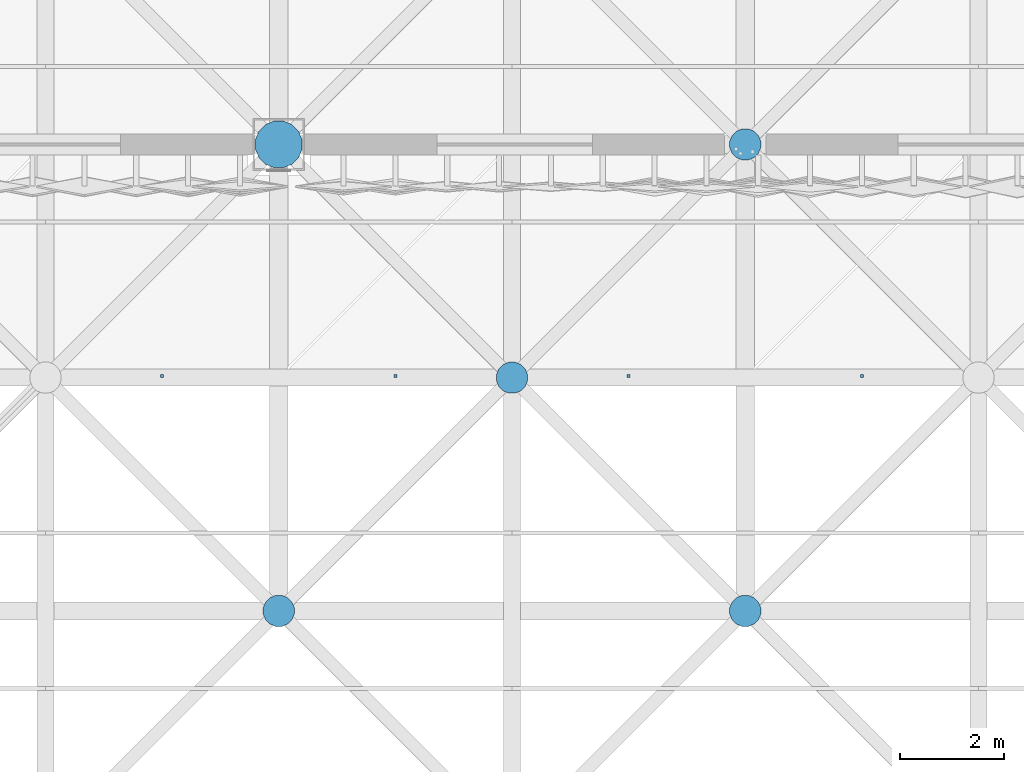
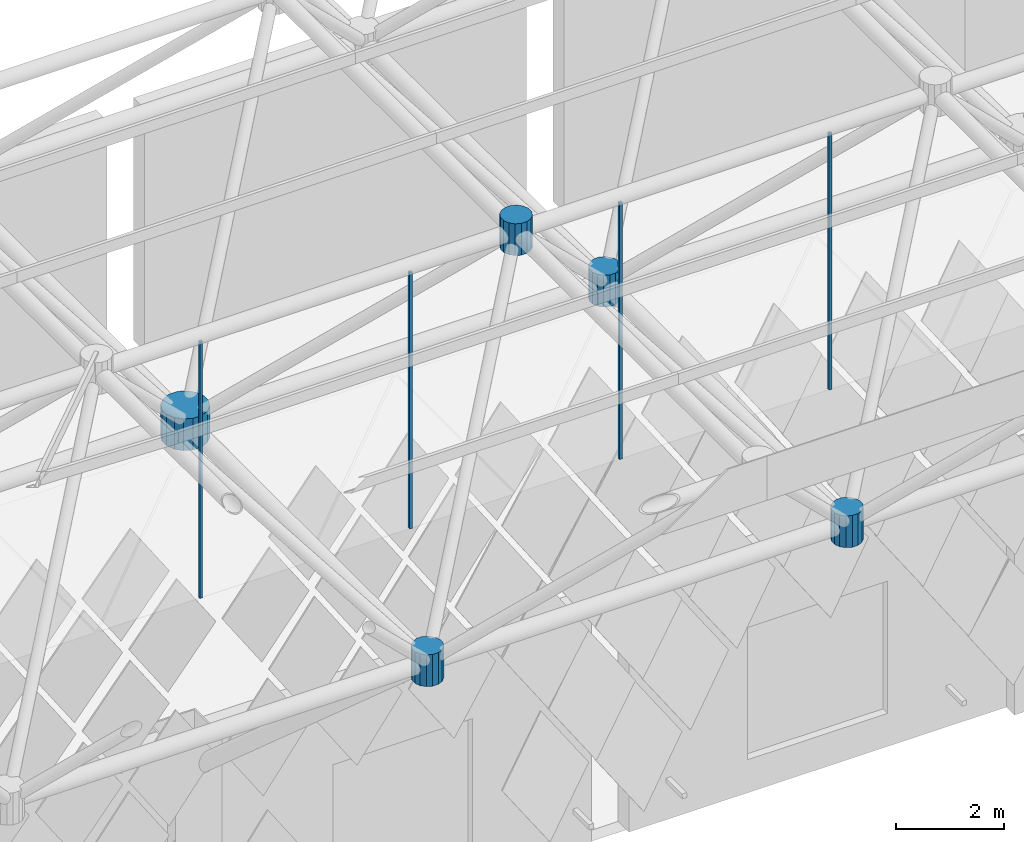
# One storey, part 298 of 437: 9 discrete accessories.
"""IFC4 building model written with IfcOpenShell, lengths in metres."""

import ifcopenshell
import ifcopenshell.guid

model = None  # the IFC model being written
_history = None  # IfcOwnerHistory: only IFC2X3 demands one
_inside = {}  # id of a spatial element -> (the spatial element, [elements in it])
_under = {}  # id of a project, library or spatial element -> (it, [spatial elements below it])
_declared = {}  # id of a project -> (the project, [libraries it declares])
_typed = {}  # id of a type object -> (the type object, [elements of that type])
_made_of = {}  # id of a material, layer set ... -> (it, [elements and type objects made of it])


def new_model(schema):
    """Start an empty IFC model of exactly this schema.

    Asked for "IFC4X3", IfcOpenShell would pick the latest addendum, in which some entities
    have other attributes; the version numbers below select the first issue.
    IFC2X3 requires an IfcOwnerHistory on every rooted entity: one is made here for all.
    """
    global model, _history
    if schema == "IFC4X3":
        model = ifcopenshell.file(schema_version=(4, 3, 0, 0))
    else:
        model = ifcopenshell.file(schema=schema)
    _inside.clear()
    _under.clear()
    _declared.clear()
    _typed.clear()
    _made_of.clear()
    _history = None
    if model.schema == "IFC2X3":
        org = make("IfcOrganization", Name="unknown")
        user = make(
            "IfcPersonAndOrganization",
            ThePerson=make("IfcPerson", FamilyName="unknown"),
            TheOrganization=org,
        )
        app = make(
            "IfcApplication",
            ApplicationDeveloper=org,
            Version="unknown",
            ApplicationFullName="unknown",
            ApplicationIdentifier="unknown",
        )
        _history = make(
            "IfcOwnerHistory",
            OwningUser=user,
            OwningApplication=app,
            ChangeAction="ADDED",
            CreationDate=0,
        )
    return model


def make(cls, **values):
    """One entity of the class cls with the attributes given. An attribute that is None is left unset."""
    return model.create_entity(
        cls, **{name: value for name, value in values.items() if value is not None}
    )


def rooted(cls, **values):
    """An entity with a GlobalId (a new one), such as an element, a storey or a relation."""
    return make(cls, GlobalId=ifcopenshell.guid.new(), OwnerHistory=_history, **values)


def si_unit(unit_type, name, prefix=None):
    """IfcSIUnit, for example si_unit("LENGTHUNIT", "METRE", prefix="MILLI")."""
    return make("IfcSIUnit", UnitType=unit_type, Prefix=prefix, Name=name)


def assignment(units):
    """IfcUnitAssignment: the units of a project."""
    return None if units is None else make("IfcUnitAssignment", Units=units)


def point(xyz):
    """IfcCartesianPoint."""
    return None if xyz is None else make("IfcCartesianPoint", Coordinates=xyz)


def direction(xyz):
    """IfcDirection."""
    return None if xyz is None else make("IfcDirection", DirectionRatios=xyz)


def frame(location, z_axis=None, x_axis=None):
    """IfcAxis2Placement3D, a coordinate frame: its origin and axes. An axis left out is left unset."""
    return make(
        "IfcAxis2Placement3D",
        Location=point(location),
        Axis=direction(z_axis),
        RefDirection=direction(x_axis),
    )


def origin():
    """The frame at (0, 0, 0) with its axes left unset."""
    return frame((0.0, 0.0, 0.0))


def place(relative_to, where):
    """IfcLocalPlacement: puts the frame where relative to a parent placement (None: the world)."""
    return make(
        "IfcLocalPlacement", PlacementRelTo=relative_to, RelativePlacement=where
    )


def context(
    kind, dimensions, precision=None, world=None, true_north=None, identifier=None
):
    """IfcGeometricRepresentationContext, for example the 3D "Model" context."""
    return make(
        "IfcGeometricRepresentationContext",
        ContextIdentifier=identifier,
        ContextType=kind,
        CoordinateSpaceDimension=dimensions,
        Precision=precision,
        WorldCoordinateSystem=world,
        TrueNorth=true_north,
    )


def subcontext(parent, identifier, kind, view, scale=None):
    """IfcGeometricRepresentationSubContext, for example "Body" below "Model"."""
    return make(
        "IfcGeometricRepresentationSubContext",
        ContextIdentifier=identifier,
        ContextType=kind,
        ParentContext=parent,
        TargetScale=scale,
        TargetView=view,
    )


def project(units=None, contexts=None):
    """IfcProject with its units and contexts."""
    return rooted(
        "IfcProject",
        Name="project",
        RepresentationContexts=contexts,
        UnitsInContext=assignment(units),
    )


def spatial(cls, under=None, at=None, **own):
    """A site, building, storey or space (cls), placed at a placement, below another one or the project."""
    s = rooted(cls, ObjectPlacement=at, **own)
    if under is not None:
        _under.setdefault(under.id(), (under, []))[1].append(s)
    return s


def polyline(points):
    """IfcPolyline through the points."""
    return make("IfcPolyline", Points=[point(p) for p in points])


def outline(outer, holes=None, kind="AREA"):
    """IfcArbitraryClosedProfileDef: a profile drawn as a closed curve; with holes, ...WithVoids."""
    if holes is None:
        return make("IfcArbitraryClosedProfileDef", ProfileType=kind, OuterCurve=outer)
    return make(
        "IfcArbitraryProfileDefWithVoids",
        ProfileType=kind,
        OuterCurve=outer,
        InnerCurves=holes,
    )


def extrude(swept, where, along, depth):
    """IfcExtrudedAreaSolid: the profile swept, set in the frame where, extruded along a direction by depth."""
    return make(
        "IfcExtrudedAreaSolid",
        SweptArea=swept,
        Position=where,
        ExtrudedDirection=direction(along),
        Depth=depth,
    )


def shape(context_of_items, identifier, shape_type, items):
    """IfcShapeRepresentation: the items that make up one representation, for example the "Body"."""
    return make(
        "IfcShapeRepresentation",
        ContextOfItems=context_of_items,
        RepresentationIdentifier=identifier,
        RepresentationType=shape_type,
        Items=items,
    )


def material(Name=None, Category=None):
    """IfcMaterial."""
    return make("IfcMaterial", Name=Name, Category=Category)


def made_of(thing, what):
    """Note that an element or type object is made of a material, layer set ...; save() writes the relation."""
    if what is not None:
        _made_of.setdefault(what.id(), (what, []))[1].append(thing)
    return thing


def type_object(cls, material=None, **own):
    """A type object (cls), such as IfcWallType, which elements share."""
    return made_of(rooted(cls, **own), material)


def element(
    cls,
    number,
    at=None,
    inside=None,
    cuts=None,
    type_object=None,
    material=None,
    context=None,
    identifier="Body",
    shape_type=None,
    held_by="IfcProductDefinitionShape",
    body=None,
    shapes=None,
    **own,
):
    """One element of the class cls, such as IfcWall. Its Tag is "e" and its number.

    at: its placement. inside: the storey or other place that contains it. cuts: it is an
    opening in that element (IfcRelVoidsElement). A single representation is given by context,
    identifier, shape_type and body (its items); several are given by shapes. held_by: the class
    of the entity that holds the representations. save() writes the other relations.
    """
    e = rooted(cls, Tag="e%d" % number, ObjectPlacement=at, **own)
    if body is not None:
        shapes = [shape(context, identifier, shape_type, body)]
    if shapes is not None:
        e.Representation = make(held_by, Representations=shapes)
    if inside is not None:
        _inside.setdefault(inside.id(), (inside, []))[1].append(e)
    if cuts is not None:
        rooted(
            "IfcRelVoidsElement", RelatingBuildingElement=cuts, RelatedOpeningElement=e
        )
    if type_object is not None:
        _typed.setdefault(type_object.id(), (type_object, []))[1].append(e)
    return made_of(e, material)


def aggregate(whole, parts):
    """IfcRelAggregates: a whole, such as a stair, and the parts it consists of."""
    return rooted("IfcRelAggregates", RelatingObject=whole, RelatedObjects=parts)


def save(model, path):
    """Write the relations noted so far, then the file.

    IfcRelAggregates (storeys below a building ...), IfcRelContainedInSpatialStructure (elements
    in a storey), IfcRelDefinesByType, IfcRelAssociatesMaterial and IfcRelDeclares: one each for
    every whole, place, type object, material and project.
    """
    for whole, parts in _under.values():
        aggregate(whole, parts)
    for where, things in _inside.values():
        rooted(
            "IfcRelContainedInSpatialStructure",
            RelatedElements=things,
            RelatingStructure=where,
        )
    for kind, things in _typed.values():
        rooted("IfcRelDefinesByType", RelatedObjects=things, RelatingType=kind)
    for what, things in _made_of.values():
        rooted("IfcRelAssociatesMaterial", RelatedObjects=things, RelatingMaterial=what)
    for by, libraries in _declared.values():
        rooted("IfcRelDeclares", RelatingContext=by, RelatedDefinitions=libraries)
    model.write(path)


model = new_model("IFC4")

# Units and contexts
model_context = context("Model", 3, precision=1e-05, world=origin(), true_north=direction((0.0, 1.0)))
body_context = subcontext(model_context, "Body", "Model", "MODEL_VIEW")
ifc_project = project(units=[si_unit("LENGTHUNIT", "METRE"), si_unit("AREAUNIT", "SQUARE_METRE"), si_unit("VOLUMEUNIT", "CUBIC_METRE"), si_unit("PLANEANGLEUNIT", "RADIAN"), si_unit("MASSUNIT", "GRAM", prefix="KILO")], contexts=[model_context])

# Site, building, storey
site_placement = place(None, origin())
site = spatial("IfcSite", under=ifc_project, at=site_placement, CompositionType="ELEMENT")
building_placement = place(site_placement, origin())
building = spatial("IfcBuilding", under=site, at=building_placement, Name="Opaline Strait Convention Centre", CompositionType="ELEMENT")
storey_placement = place(building_placement, frame((0.0, 0.0, 11.5)))
storey = spatial("IfcBuildingStorey", under=building, at=storey_placement, Name="L02", CompositionType="ELEMENT", Elevation=11.5)

# Discrete accessories
ifc_material_1 = material(Name="Steel Q355B", Category="steel")
discrete_accessory_type_1 = type_object("IfcDiscreteAccessoryType", Name="Soffit hanger 60x60 steel", PredefinedType="BRACKET", material=ifc_material_1)
discrete_accessory_1_placement = place(storey_placement, frame((0.0, 0.0, 11.9912109375)))
element("IfcDiscreteAccessory", 1, at=discrete_accessory_1_placement, inside=storey, type_object=discrete_accessory_type_1, Name="Soffit hanger", PredefinedType="BRACKET", context=body_context, shape_type="SweptSolid", body=[
    extrude(outline(polyline([(150.719970703125, 49.5048828125), (150.780029296875, 49.5048828125), (150.780029296875, 49.56494140625), (150.719970703125, 49.56494140625), (150.719970703125, 49.5048828125)])), origin(), (0.0, 0.0, 1.0), 5.81787109375),
])
discrete_accessory_2_placement = place(storey_placement, frame((0.0, 0.0, 11.989990234375)))
element("IfcDiscreteAccessory", 2, at=discrete_accessory_2_placement, inside=storey, type_object=discrete_accessory_type_1, Name="Soffit hanger", PredefinedType="BRACKET", context=body_context, shape_type="SweptSolid", body=[
    extrude(outline(polyline([(155.219970703125, 49.5048828125), (155.280029296875, 49.5048828125), (155.280029296875, 49.56494140625), (155.219970703125, 49.56494140625), (155.219970703125, 49.5048828125)])), origin(), (0.0, 0.0, 1.0), 5.819091796875),
])
discrete_accessory_3_placement = place(storey_placement, frame((0.0, 0.0, 11.989990234375)))
element("IfcDiscreteAccessory", 3, at=discrete_accessory_3_placement, inside=storey, type_object=discrete_accessory_type_1, Name="Soffit hanger", PredefinedType="BRACKET", context=body_context, shape_type="SweptSolid", body=[
    extrude(outline(polyline([(159.719970703125, 49.5048828125), (159.780029296875, 49.5048828125), (159.780029296875, 49.56494140625), (159.719970703125, 49.56494140625), (159.719970703125, 49.5048828125)])), origin(), (0.0, 0.0, 1.0), 5.819091796875),
])
discrete_accessory_4_placement = place(storey_placement, frame((0.0, 0.0, 11.989990234375)))
element("IfcDiscreteAccessory", 4, at=discrete_accessory_4_placement, inside=storey, type_object=discrete_accessory_type_1, Name="Soffit hanger", PredefinedType="BRACKET", context=body_context, shape_type="SweptSolid", body=[
    extrude(outline(polyline([(164.219970703125, 49.5048828125), (164.280029296875, 49.5048828125), (164.280029296875, 49.56494140625), (164.219970703125, 49.56494140625), (164.219970703125, 49.5048828125)])), origin(), (0.0, 0.0, 1.0), 5.819091796875),
])
ifc_material_2 = material(Name="Cast steel ZG300-500H (300 MPa)", Category="steel")
discrete_accessory_type_2 = type_object("IfcDiscreteAccessoryType", Name="Space frame bearing node hub D900", PredefinedType="USERDEFINED", material=ifc_material_2)
discrete_accessory_5_placement = place(storey_placement, frame((0.0, 0.0, 12.139892578125)))
element("IfcDiscreteAccessory", 5, at=discrete_accessory_5_placement, inside=storey, type_object=discrete_accessory_type_2, Name="Bottom node 8/2", ObjectType="NODE HUB", PredefinedType="USERDEFINED", context=body_context, shape_type="SweptSolid", body=[
    extrude(outline(polyline([(153.449951171875, 54.089599609375), (153.381591796875, 54.2548828125), (153.2548828125, 54.381591796875), (153.089599609375, 54.449951171875), (152.910400390625, 54.449951171875), (152.7451171875, 54.381591796875), (152.618408203125, 54.2548828125), (152.550048828125, 54.089599609375), (152.550048828125, 53.910400390625), (152.618408203125, 53.7451171875), (152.7451171875, 53.618408203125), (152.910400390625, 53.550048828125), (153.089599609375, 53.550048828125), (153.2548828125, 53.618408203125), (153.381591796875, 53.7451171875), (153.449951171875, 53.910400390625), (153.449951171875, 54.089599609375)])), origin(), (0.0, 0.0, 1.0), 0.72021484375),
])
discrete_accessory_type_3 = type_object("IfcDiscreteAccessoryType", Name="Space frame node hub D600", PredefinedType="USERDEFINED", material=ifc_material_2)
discrete_accessory_6_placement = place(storey_placement, frame((0.0, 0.0, 17.611572265625)))
element("IfcDiscreteAccessory", 6, at=discrete_accessory_6_placement, inside=storey, type_object=discrete_accessory_type_3, Name="Top node 9/2", ObjectType="NODE HUB", PredefinedType="USERDEFINED", context=body_context, shape_type="SweptSolid", body=[
    extrude(outline(polyline([(157.800048828125, 49.559814453125), (157.75439453125, 49.669921875), (157.669921875, 49.75439453125), (157.559814453125, 49.800048828125), (157.440185546875, 49.800048828125), (157.330078125, 49.75439453125), (157.24560546875, 49.669921875), (157.199951171875, 49.559814453125), (157.199951171875, 49.440185546875), (157.24560546875, 49.330078125), (157.330078125, 49.24560546875), (157.440185546875, 49.199951171875), (157.559814453125, 49.199951171875), (157.669921875, 49.24560546875), (157.75439453125, 49.330078125), (157.800048828125, 49.440185546875), (157.800048828125, 49.559814453125)])), origin(), (0.0, 0.0, 1.0), 0.719970703125),
])
discrete_accessory_7_placement = place(storey_placement, frame((0.0, 0.0, 12.139892578125)))
element("IfcDiscreteAccessory", 7, at=discrete_accessory_7_placement, inside=storey, type_object=discrete_accessory_type_3, Name="Bottom node 8/1", ObjectType="NODE HUB", PredefinedType="USERDEFINED", context=body_context, shape_type="SweptSolid", body=[
    extrude(outline(polyline([(153.300048828125, 45.059814453125), (153.25439453125, 45.169921875), (153.169921875, 45.25439453125), (153.059814453125, 45.300048828125), (152.940185546875, 45.300048828125), (152.830078125, 45.25439453125), (152.74560546875, 45.169921875), (152.699951171875, 45.059814453125), (152.699951171875, 44.940185546875), (152.74560546875, 44.830078125), (152.830078125, 44.74560546875), (152.940185546875, 44.699951171875), (153.059814453125, 44.699951171875), (153.169921875, 44.74560546875), (153.25439453125, 44.830078125), (153.300048828125, 44.940185546875), (153.300048828125, 45.059814453125)])), origin(), (0.0, 0.0, 1.0), 0.72021484375),
])
discrete_accessory_8_placement = place(storey_placement, frame((0.0, 0.0, 12.139892578125)))
element("IfcDiscreteAccessory", 8, at=discrete_accessory_8_placement, inside=storey, type_object=discrete_accessory_type_3, Name="Bottom node 9/1", ObjectType="NODE HUB", PredefinedType="USERDEFINED", context=body_context, shape_type="SweptSolid", body=[
    extrude(outline(polyline([(162.300048828125, 45.059814453125), (162.25439453125, 45.169921875), (162.169921875, 45.25439453125), (162.059814453125, 45.300048828125), (161.940185546875, 45.300048828125), (161.830078125, 45.25439453125), (161.74560546875, 45.169921875), (161.699951171875, 45.059814453125), (161.699951171875, 44.940185546875), (161.74560546875, 44.830078125), (161.830078125, 44.74560546875), (161.940185546875, 44.699951171875), (162.059814453125, 44.699951171875), (162.169921875, 44.74560546875), (162.25439453125, 44.830078125), (162.300048828125, 44.940185546875), (162.300048828125, 45.059814453125)])), origin(), (0.0, 0.0, 1.0), 0.72021484375),
])
discrete_accessory_9_placement = place(storey_placement, frame((0.0, 0.0, 12.139892578125)))
element("IfcDiscreteAccessory", 9, at=discrete_accessory_9_placement, inside=storey, type_object=discrete_accessory_type_3, Name="Bottom node 9/2", ObjectType="NODE HUB", PredefinedType="USERDEFINED", context=body_context, shape_type="SweptSolid", body=[
    extrude(outline(polyline([(162.300048828125, 54.059814453125), (162.25439453125, 54.169921875), (162.169921875, 54.25439453125), (162.059814453125, 54.300048828125), (161.940185546875, 54.300048828125), (161.830078125, 54.25439453125), (161.74560546875, 54.169921875), (161.699951171875, 54.059814453125), (161.699951171875, 53.940185546875), (161.74560546875, 53.830078125), (161.830078125, 53.74560546875), (161.940185546875, 53.699951171875), (162.059814453125, 53.699951171875), (162.169921875, 53.74560546875), (162.25439453125, 53.830078125), (162.300048828125, 53.940185546875), (162.300048828125, 54.059814453125)])), origin(), (0.0, 0.0, 1.0), 0.72021484375),
])

save(model, "model.ifc")
